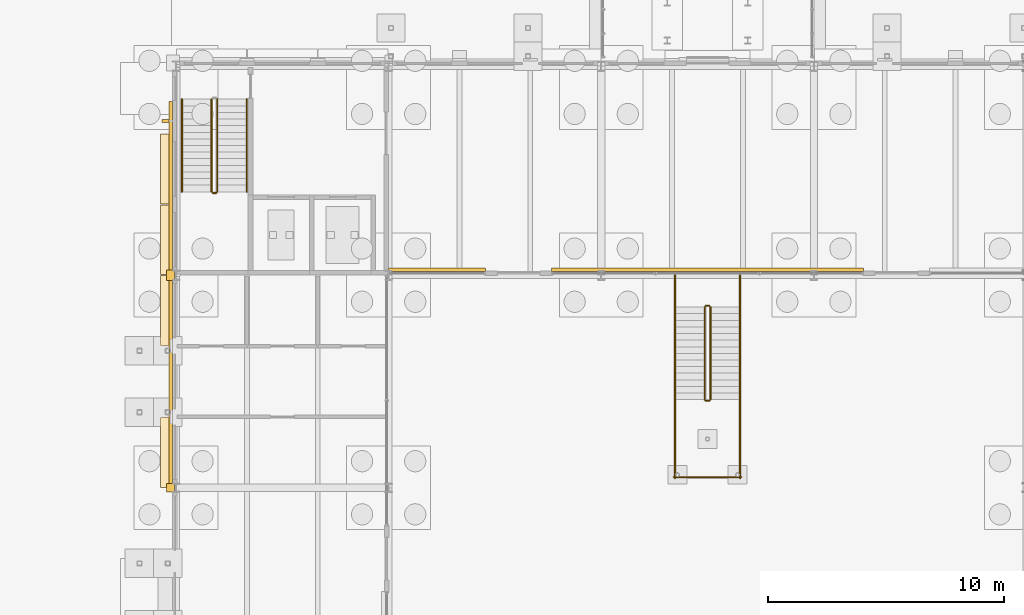
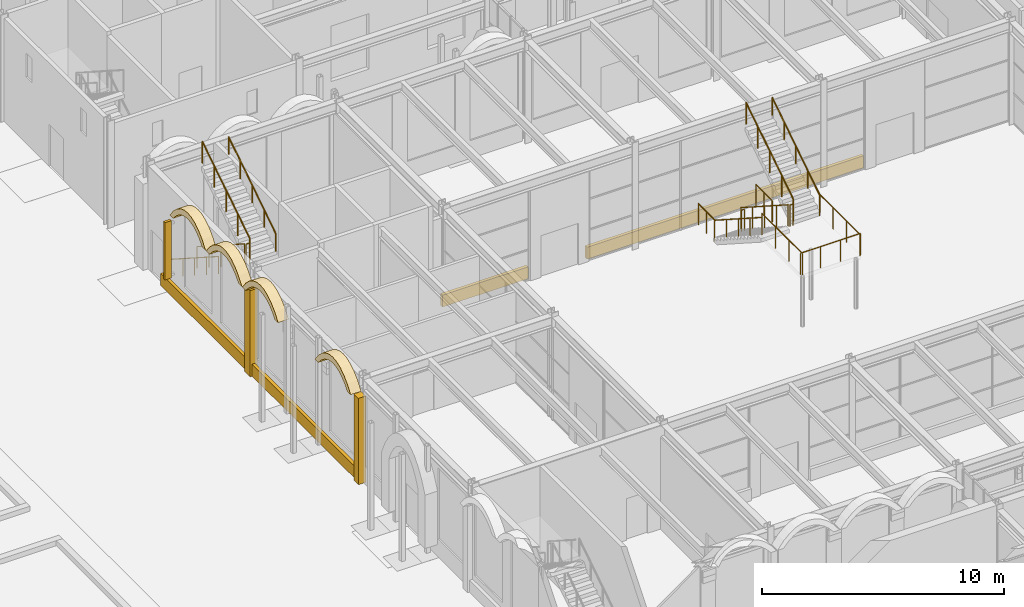
# One storey, part 111 of 126: 16 railings, 10 coverings, 1 shading device.
"""IFC4 building model written with IfcOpenShell, lengths in metres."""

from ifc_helpers import new_model, si_unit, direction, frame, origin, origin_2d, place, context, subcontext, project, spatial, polyline, rectangle, circle, outline, extrude, material, layer, layer_set, type_object, element, save


model = new_model("IFC4")

# Units and contexts
model_context = context("Model", 3, precision=1e-05, world=origin(), true_north=direction((0.0, 1.0)))
body_context = subcontext(model_context, "Body", "Model", "MODEL_VIEW")
ifc_project = project(units=[si_unit("LENGTHUNIT", "METRE"), si_unit("AREAUNIT", "SQUARE_METRE"), si_unit("VOLUMEUNIT", "CUBIC_METRE"), si_unit("PLANEANGLEUNIT", "RADIAN"), si_unit("MASSUNIT", "GRAM", prefix="KILO")], contexts=[model_context])

# Site, building, storey
site_placement = place(None, origin())
site = spatial("IfcSite", under=ifc_project, at=site_placement, CompositionType="ELEMENT")
building_placement = place(site_placement, origin())
building = spatial("IfcBuilding", under=site, at=building_placement, Name="Kallimachos Central Library", CompositionType="ELEMENT")
storey_placement = place(building_placement, origin())
storey = spatial("IfcBuildingStorey", under=building, at=storey_placement, Name="L00", CompositionType="ELEMENT", Elevation=0.0)

# Railings
ifc_material_1 = material(Name="Wrought iron")
railing_type_1 = type_object("IfcRailingType", Name="Stair guard", PredefinedType="GUARDRAIL", material=ifc_material_1)
railing_1_placement = place(storey_placement, frame((67.0, 82.449951171875, 0.179931640625)))
element("IfcRailing", 1, at=railing_1_placement, inside=storey, type_object=railing_type_1, Name="L00 ST9 stair guard 1", PredefinedType="GUARDRAIL", context=body_context, shape_type="SweptSolid", body=[
    extrude(circle(Radius=0.02392578125, at=origin_2d()), frame((0.0, 0.0, 1.076171875), z_axis=(0.0, -0.841171666519, 0.540768182723), x_axis=(1.0, 0.0, 0.0)), (0.0, 0.0, 1.0), 4.66015625),
    extrude(circle(Radius=0.02099609375, at=origin_2d()), origin(), (0.0, 0.0, 1.0), 1.052001953125),
    extrude(circle(Radius=0.02099609375, at=origin_2d()), frame((0.0, -0.97998046875, 0.6298828125)), (0.0, 0.0, 1.0), 1.052001953125),
    extrude(circle(Radius=0.02099609375, at=origin_2d()), frame((0.0, -1.9599609375, 1.260009765625)), (0.0, 0.0, 1.0), 1.052001953125),
    extrude(circle(Radius=0.02099609375, at=origin_2d()), frame((0.0, -2.93994140625, 1.89013671875)), (0.0, 0.0, 1.0), 1.052001953125),
    extrude(circle(Radius=0.02099609375, at=origin_2d()), frame((0.0, -3.919921875, 2.52001953125)), (0.0, 0.0, 1.0), 1.052001953125),
])
railing_2_placement = place(storey_placement, frame((67.050048828125, 78.47998046875, 2.699951171875)))
element("IfcRailing", 2, at=railing_2_placement, inside=storey, type_object=railing_type_1, Name="L00 ST9 stair guard 2", PredefinedType="GUARDRAIL", context=body_context, shape_type="SweptSolid", body=[
    extrude(circle(Radius=0.02392578125, at=origin_2d()), frame((0.0, 0.0, 1.076171875), z_axis=(1.0, 0.0, 0.0), x_axis=(0.0, 1.0, 0.0)), (0.0, 0.0, 1.0), 0.14990234375),
    extrude(circle(Radius=0.02099609375, at=origin_2d()), origin(), (0.0, 0.0, 1.0), 1.052001953125),
    extrude(circle(Radius=0.02099609375, at=origin_2d()), frame((0.14990234375, 0.0, 0.0)), (0.0, 0.0, 1.0), 1.052001953125),
])
railing_3_placement = place(storey_placement, frame((67.25, 78.530029296875, 2.8798828125)))
element("IfcRailing", 3, at=railing_3_placement, inside=storey, type_object=railing_type_1, Name="L00 ST9 stair guard 3", PredefinedType="GUARDRAIL", context=body_context, shape_type="SweptSolid", body=[
    extrude(circle(Radius=0.02392578125, at=origin_2d()), frame((0.0, 0.0, 1.076171875), z_axis=(0.0, 0.841171666519, 0.540768182723), x_axis=(-1.0, 0.0, 0.0)), (0.0, 0.0, 1.0), 4.66015625),
    extrude(circle(Radius=0.02099609375, at=origin_2d()), origin(), (0.0, 0.0, 1.0), 1.052001953125),
    extrude(circle(Radius=0.02099609375, at=origin_2d()), frame((0.0, 0.97998046875, 0.6298828125)), (0.0, 0.0, 1.0), 1.052001953125),
    extrude(circle(Radius=0.02099609375, at=origin_2d()), frame((0.0, 1.9599609375, 1.260009765625)), (0.0, 0.0, 1.0), 1.052001953125),
    extrude(circle(Radius=0.02099609375, at=origin_2d()), frame((0.0, 2.93994140625, 1.89013671875)), (0.0, 0.0, 1.0), 1.052001953125),
    extrude(circle(Radius=0.02099609375, at=origin_2d()), frame((0.0, 3.919921875, 2.52001953125)), (0.0, 0.0, 1.0), 1.052001953125),
])
railing_4_placement = place(storey_placement, frame((87.875, 73.64990234375, 0.179931640625)))
element("IfcRailing", 4, at=railing_4_placement, inside=storey, type_object=railing_type_1, Name="L00 SF1 stair guard 1", PredefinedType="GUARDRAIL", context=body_context, shape_type="SweptSolid", body=[
    extrude(circle(Radius=0.02392578125, at=origin_2d()), frame((0.0, 0.0, 1.076171875), z_axis=(0.0, -0.841171666519, 0.540768182723), x_axis=(1.0, 0.0, 0.0)), (0.0, 0.0, 1.0), 4.66015625),
    extrude(circle(Radius=0.02099609375, at=origin_2d()), origin(), (0.0, 0.0, 1.0), 1.052001953125),
    extrude(circle(Radius=0.02099609375, at=origin_2d()), frame((0.0, -0.97998046875, 0.6298828125)), (0.0, 0.0, 1.0), 1.052001953125),
    extrude(circle(Radius=0.02099609375, at=origin_2d()), frame((0.0, -1.9599609375, 1.260009765625)), (0.0, 0.0, 1.0), 1.052001953125),
    extrude(circle(Radius=0.02099609375, at=origin_2d()), frame((0.0, -2.93994140625, 1.89013671875)), (0.0, 0.0, 1.0), 1.052001953125),
    extrude(circle(Radius=0.02099609375, at=origin_2d()), frame((0.0, -3.919921875, 2.52001953125)), (0.0, 0.0, 1.0), 1.052001953125),
])
railing_5_placement = place(storey_placement, frame((87.925048828125, 69.679931640625, 2.699951171875)))
element("IfcRailing", 5, at=railing_5_placement, inside=storey, type_object=railing_type_1, Name="L00 SF1 stair guard 2", PredefinedType="GUARDRAIL", context=body_context, shape_type="SweptSolid", body=[
    extrude(circle(Radius=0.02392578125, at=origin_2d()), frame((0.0, 0.0, 1.076171875), z_axis=(1.0, 0.0, 0.0), x_axis=(0.0, 1.0, 0.0)), (0.0, 0.0, 1.0), 0.14990234375),
    extrude(circle(Radius=0.02099609375, at=origin_2d()), origin(), (0.0, 0.0, 1.0), 1.052001953125),
    extrude(circle(Radius=0.02099609375, at=origin_2d()), frame((0.14990234375, 0.0, 0.0)), (0.0, 0.0, 1.0), 1.052001953125),
])
for number, where, name in (
    (6, (86.625, 69.72998046875, 2.699951171875), "L00 SF1 stair guard 3"),
    (7, (89.375, 69.72998046875, 2.699951171875), "L00 SF1 stair guard 4"),
):
    element("IfcRailing", number, at=place(storey_placement, frame(where)), inside=storey, type_object=railing_type_1, Name=name, PredefinedType="GUARDRAIL", context=body_context, shape_type="SweptSolid", body=[
        extrude(circle(Radius=0.02392578125, at=origin_2d()), frame((0.0, 0.0, 1.076171875), z_axis=(0.0, -1.0, 0.0), x_axis=(1.0, 0.0, 0.0)), (0.0, 0.0, 1.0), 3.330078125),
        extrude(circle(Radius=0.02099609375, at=origin_2d()), origin(), (0.0, 0.0, 1.0), 1.052001953125),
        extrude(circle(Radius=0.02099609375, at=origin_2d()), frame((0.0, -1.110107421875, 0.0)), (0.0, 0.0, 1.0), 1.052001953125),
        extrude(circle(Radius=0.02099609375, at=origin_2d()), frame((0.0, -2.219970703125, 0.0)), (0.0, 0.0, 1.0), 1.052001953125),
        extrude(circle(Radius=0.02099609375, at=origin_2d()), frame((0.0, -3.330078125, 0.0)), (0.0, 0.0, 1.0), 1.052001953125),
    ])
railing_6_placement = place(storey_placement, frame((86.574951171875, 66.449951171875, 2.699951171875)))
element("IfcRailing", 8, at=railing_6_placement, inside=storey, type_object=railing_type_1, Name="L00 SF1 stair guard 5", PredefinedType="GUARDRAIL", context=body_context, shape_type="SweptSolid", body=[
    extrude(circle(Radius=0.02392578125, at=origin_2d()), frame((0.0, 0.0, 1.076171875), z_axis=(1.0, 0.0, 0.0), x_axis=(0.0, 1.0, 0.0)), (0.0, 0.0, 1.0), 2.85009765625),
    extrude(circle(Radius=0.02099609375, at=origin_2d()), origin(), (0.0, 0.0, 1.0), 1.052001953125),
    extrude(circle(Radius=0.02099609375, at=origin_2d()), frame((0.949951171875, 0.0, 0.0)), (0.0, 0.0, 1.0), 1.052001953125),
    extrude(circle(Radius=0.02099609375, at=origin_2d()), frame((1.900146484375, 0.0, 0.0)), (0.0, 0.0, 1.0), 1.052001953125),
    extrude(circle(Radius=0.02099609375, at=origin_2d()), frame((2.85009765625, 0.0, 0.0)), (0.0, 0.0, 1.0), 1.052001953125),
])
railing_7_placement = place(storey_placement, frame((88.125, 69.72998046875, 2.8798828125)))
element("IfcRailing", 9, at=railing_7_placement, inside=storey, type_object=railing_type_1, Name="L00 SF1 stair guard 6", PredefinedType="GUARDRAIL", context=body_context, shape_type="SweptSolid", body=[
    extrude(circle(Radius=0.02392578125, at=origin_2d()), frame((0.0, 0.0, 1.076171875), z_axis=(0.0, 0.841171666519, 0.540768182723), x_axis=(-1.0, 0.0, 0.0)), (0.0, 0.0, 1.0), 4.66015625),
    extrude(circle(Radius=0.02099609375, at=origin_2d()), origin(), (0.0, 0.0, 1.0), 1.052001953125),
    extrude(circle(Radius=0.02099609375, at=origin_2d()), frame((0.0, 0.97998046875, 0.6298828125)), (0.0, 0.0, 1.0), 1.052001953125),
    extrude(circle(Radius=0.02099609375, at=origin_2d()), frame((0.0, 1.9599609375, 1.260009765625)), (0.0, 0.0, 1.0), 1.052001953125),
    extrude(circle(Radius=0.02099609375, at=origin_2d()), frame((0.0, 2.93994140625, 1.89013671875)), (0.0, 0.0, 1.0), 1.052001953125),
    extrude(circle(Radius=0.02099609375, at=origin_2d()), frame((0.0, 3.919921875, 2.52001953125)), (0.0, 0.0, 1.0), 1.052001953125),
])
railing_8_placement = place(storey_placement, frame((87.925048828125, 73.699951171875, 0.0)))
element("IfcRailing", 10, at=railing_8_placement, inside=storey, type_object=railing_type_1, Name="L00 SF1 stair guard 7", PredefinedType="GUARDRAIL", context=body_context, shape_type="SweptSolid", body=[
    extrude(circle(Radius=0.02392578125, at=origin_2d()), frame((0.0, 0.0, 1.076171875), z_axis=(1.0, 0.0, 0.0), x_axis=(0.0, 1.0, 0.0)), (0.0, 0.0, 1.0), 0.14990234375),
    extrude(circle(Radius=0.02099609375, at=origin_2d()), origin(), (0.0, 0.0, 1.0), 1.052001953125),
    extrude(circle(Radius=0.02099609375, at=origin_2d()), frame((0.14990234375, 0.0, 0.0)), (0.0, 0.0, 1.0), 1.052001953125),
])
for number, where, name in (
    (11, (86.625, 75.0, 0.0), "L00 SF1 stair guard 8"),
    (12, (89.375, 75.0, 0.0), "L00 SF1 stair guard 9"),
):
    element("IfcRailing", number, at=place(storey_placement, frame(where)), inside=storey, type_object=railing_type_1, Name=name, PredefinedType="GUARDRAIL", context=body_context, shape_type="SweptSolid", body=[
        extrude(circle(Radius=0.02392578125, at=origin_2d()), frame((0.0, 0.0, 1.076171875), z_axis=(0.0, -1.0, 0.0), x_axis=(1.0, 0.0, 0.0)), (0.0, 0.0, 1.0), 1.35009765625),
        extrude(circle(Radius=0.02099609375, at=origin_2d()), origin(), (0.0, 0.0, 1.0), 1.052001953125),
        extrude(circle(Radius=0.02099609375, at=origin_2d()), frame((0.0, -0.675048828125, 0.0)), (0.0, 0.0, 1.0), 1.052001953125),
        extrude(circle(Radius=0.02099609375, at=origin_2d()), frame((0.0, -1.35009765625, 0.0)), (0.0, 0.0, 1.0), 1.052001953125),
    ])
ifc_material_2 = material(Name="Wrought iron")
railing_type_2 = type_object("IfcRailingType", Name="Stair handrail", PredefinedType="HANDRAIL", material=ifc_material_2)
railing_9_placement = place(storey_placement, frame((65.75, 82.449951171875, 0.179931640625)))
element("IfcRailing", 13, at=railing_9_placement, inside=storey, type_object=railing_type_2, Name="L00 ST9 stair handrail 1", PredefinedType="HANDRAIL", context=body_context, shape_type="SweptSolid", body=[
    extrude(circle(Radius=0.02392578125, at=origin_2d()), frame((0.0, 0.0, 0.8759765625), z_axis=(0.0, -0.841171666519, 0.540768182723), x_axis=(1.0, 0.0, 0.0)), (0.0, 0.0, 1.0), 4.66015625),
    extrude(circle(Radius=0.02099609375, at=origin_2d()), origin(), (0.0, 0.0, 1.0), 0.851806640625),
    extrude(circle(Radius=0.02099609375, at=origin_2d()), frame((0.0, -0.97998046875, 0.6298828125)), (0.0, 0.0, 1.0), 0.851806640625),
    extrude(circle(Radius=0.02099609375, at=origin_2d()), frame((0.0, -1.9599609375, 1.260009765625)), (0.0, 0.0, 1.0), 0.851806640625),
    extrude(circle(Radius=0.02099609375, at=origin_2d()), frame((0.0, -2.93994140625, 1.89013671875)), (0.0, 0.0, 1.0), 0.851806640625),
    extrude(circle(Radius=0.02099609375, at=origin_2d()), frame((0.0, -3.919921875, 2.52001953125)), (0.0, 0.0, 1.0), 0.851806640625),
])
railing_10_placement = place(storey_placement, frame((68.5, 78.530029296875, 2.8798828125)))
element("IfcRailing", 14, at=railing_10_placement, inside=storey, type_object=railing_type_2, Name="L00 ST9 stair handrail 2", PredefinedType="HANDRAIL", context=body_context, shape_type="SweptSolid", body=[
    extrude(circle(Radius=0.02392578125, at=origin_2d()), frame((0.0, 0.0, 0.8759765625), z_axis=(0.0, 0.841171666519, 0.540768182723), x_axis=(-1.0, 0.0, 0.0)), (0.0, 0.0, 1.0), 4.66015625),
    extrude(circle(Radius=0.02099609375, at=origin_2d()), origin(), (0.0, 0.0, 1.0), 0.851806640625),
    extrude(circle(Radius=0.02099609375, at=origin_2d()), frame((0.0, 0.97998046875, 0.6298828125)), (0.0, 0.0, 1.0), 0.851806640625),
    extrude(circle(Radius=0.02099609375, at=origin_2d()), frame((0.0, 1.9599609375, 1.260009765625)), (0.0, 0.0, 1.0), 0.851806640625),
    extrude(circle(Radius=0.02099609375, at=origin_2d()), frame((0.0, 2.93994140625, 1.89013671875)), (0.0, 0.0, 1.0), 0.851806640625),
    extrude(circle(Radius=0.02099609375, at=origin_2d()), frame((0.0, 3.919921875, 2.52001953125)), (0.0, 0.0, 1.0), 0.851806640625),
])
railing_11_placement = place(storey_placement, frame((86.625, 73.64990234375, 0.179931640625)))
element("IfcRailing", 15, at=railing_11_placement, inside=storey, type_object=railing_type_2, Name="L00 SF1 stair handrail 1", PredefinedType="HANDRAIL", context=body_context, shape_type="SweptSolid", body=[
    extrude(circle(Radius=0.02392578125, at=origin_2d()), frame((0.0, 0.0, 0.8759765625), z_axis=(0.0, -0.841171666519, 0.540768182723), x_axis=(1.0, 0.0, 0.0)), (0.0, 0.0, 1.0), 4.66015625),
    extrude(circle(Radius=0.02099609375, at=origin_2d()), origin(), (0.0, 0.0, 1.0), 0.851806640625),
    extrude(circle(Radius=0.02099609375, at=origin_2d()), frame((0.0, -0.97998046875, 0.6298828125)), (0.0, 0.0, 1.0), 0.851806640625),
    extrude(circle(Radius=0.02099609375, at=origin_2d()), frame((0.0, -1.9599609375, 1.260009765625)), (0.0, 0.0, 1.0), 0.851806640625),
    extrude(circle(Radius=0.02099609375, at=origin_2d()), frame((0.0, -2.93994140625, 1.89013671875)), (0.0, 0.0, 1.0), 0.851806640625),
    extrude(circle(Radius=0.02099609375, at=origin_2d()), frame((0.0, -3.919921875, 2.52001953125)), (0.0, 0.0, 1.0), 0.851806640625),
])
railing_12_placement = place(storey_placement, frame((89.375, 69.72998046875, 2.8798828125)))
element("IfcRailing", 16, at=railing_12_placement, inside=storey, type_object=railing_type_2, Name="L00 SF1 stair handrail 2", PredefinedType="HANDRAIL", context=body_context, shape_type="SweptSolid", body=[
    extrude(circle(Radius=0.02392578125, at=origin_2d()), frame((0.0, 0.0, 0.8759765625), z_axis=(0.0, 0.841171666519, 0.540768182723), x_axis=(-1.0, 0.0, 0.0)), (0.0, 0.0, 1.0), 4.66015625),
    extrude(circle(Radius=0.02099609375, at=origin_2d()), origin(), (0.0, 0.0, 1.0), 0.851806640625),
    extrude(circle(Radius=0.02099609375, at=origin_2d()), frame((0.0, 0.97998046875, 0.6298828125)), (0.0, 0.0, 1.0), 0.851806640625),
    extrude(circle(Radius=0.02099609375, at=origin_2d()), frame((0.0, 1.9599609375, 1.260009765625)), (0.0, 0.0, 1.0), 0.851806640625),
    extrude(circle(Radius=0.02099609375, at=origin_2d()), frame((0.0, 2.93994140625, 1.89013671875)), (0.0, 0.0, 1.0), 0.851806640625),
    extrude(circle(Radius=0.02099609375, at=origin_2d()), frame((0.0, 3.919921875, 2.52001953125)), (0.0, 0.0, 1.0), 0.851806640625),
])

# Coverings
ifc_material_3 = material(Name="Pentelic marble arch ring", Category="masonry")
ifc_layer_1 = layer(ifc_material_3, 0.5)
ifc_layer_set_1 = layer_set([ifc_layer_1], Name="Stone arcade arch 500")
covering_type_1 = type_object("IfcCoveringType", Name="Stone arcade arch 500", PredefinedType="MOLDING", material=ifc_layer_set_1)
for number, where, z_axis, x_axis, name in (
    (17, (64.845458984375, 66.02001953125, 4.5), (-1.0, 0.0, 0.0), (0.0, 0.607673405972, 0.794187025627), "Arcade arch 21"),
    (18, (64.845458984375, 72.02001953125, 4.5), (-1.0, 0.0, 0.0), (0.0, 0.607673405972, 0.794187025627), "Arcade arch 22"),
    (19, (64.846435546875, 75.02001953125, 4.5), (-1.0, 0.0, 0.0), (0.0, 0.607673405972, 0.794187025627), "Arcade arch 23"),
    (20, (64.846435546875, 78.02001953125, 4.5), (-1.0, 0.0, 0.0), (0.0, 0.607673405972, 0.794187025627), "Arcade arch 24"),
):
    element("IfcCovering", number, at=place(storey_placement, frame(where, z_axis=z_axis, x_axis=x_axis)), inside=storey, type_object=covering_type_1, Name=name, PredefinedType="MOLDING", context=body_context, shape_type="SweptSolid", body=[
        extrude(outline(polyline([(0.0, 0.0), (0.4869366251541405, 2.7755575615628914e-17), (0.8889024419966925, 0.06532295220883794), (1.218591587223228, 0.18564109972920229), (1.4854137622537693, 0.3543694142335939), (1.6935317978445363, 0.5677078804904176), (1.8450329849286935, 0.8243668141651777), (1.9381267481033357, 1.1260236862259767), (1.9680568255517241, 1.4757029386371963), (1.926006946914356, 1.8807651729935488), (1.7986895444351394, 2.3507625729251327), (1.7986895444351394, 2.3507625729251327), (1.6285231878311222, 2.1283669385515656), (1.6285231878311222, 2.1283669385515656), (1.6944190066577884, 1.775763128611894), (1.7042796569282552, 1.4660347127947693), (1.6646975114138403, 1.1941375270857737), (1.580713796351433, 0.9562142695915296), (1.4552369114930856, 0.7500395738350882), (1.289042430106012, 0.57502000875593), (1.0813547789229982, 0.4317490054145742), (0.8292655581919923, 0.32245193028797), (0.5277335416761045, 0.2509860852694953), (0.17016635660401722, 0.22239563437356707), (0.17016635660401722, 0.22239563437356707), (0.0, 0.0), (0.0, 0.0)])), origin(), (0.0, 0.0, -1.0), 0.5),
    ])
ifc_material_4 = material(Name="Pentelic marble pilaster", Category="masonry")
ifc_layer_2 = layer(ifc_material_4, 0.25)
ifc_layer_set_2 = layer_set([ifc_layer_2], Name="Stone pilaster 250")
covering_type_2 = type_object("IfcCoveringType", Name="Stone pilaster 250", PredefinedType="CLADDING", material=ifc_layer_set_2)
covering_1_placement = place(storey_placement, frame((65.2705078125, 66.0, 0.0), z_axis=(0.0, 0.0, 1.0), x_axis=(1.0, 0.0, 0.0)))
element("IfcCovering", 21, at=covering_1_placement, inside=storey, type_object=covering_type_2, Name="Stone pilaster 250 -L00-026", PredefinedType="CLADDING", context=body_context, shape_type="SweptSolid", body=[
    extrude(rectangle(XDim=0.35009765625, YDim=0.376953125, at=origin_2d()), origin(), (0.0, 0.0, 1.0), 4.35009765625),
])
covering_2_placement = place(storey_placement, frame((65.2705078125, 75.0, 0.0), z_axis=(0.0, 0.0, 1.0), x_axis=(1.0, 0.0, 0.0)))
element("IfcCovering", 22, at=covering_2_placement, inside=storey, type_object=covering_type_2, Name="Stone pilaster 250 -L00-027", PredefinedType="CLADDING", context=body_context, shape_type="SweptSolid", body=[
    extrude(rectangle(XDim=0.35009765625, YDim=0.431884765625, at=origin_2d()), origin(), (0.0, 0.0, 1.0), 4.35009765625),
])
ifc_material_5 = material(Name="Pentelic marble plinth course", Category="masonry")
ifc_layer_3 = layer(ifc_material_5, 0.14990234375)
ifc_layer_set_3 = layer_set([ifc_layer_3], Name="Stone plinth course 600")
covering_type_3 = type_object("IfcCoveringType", Name="Stone plinth course 600", PredefinedType="CLADDING", material=ifc_layer_set_3)
covering_3_placement = place(storey_placement, frame((65.2705078125, 70.486328125, 0.0), z_axis=(0.0, 0.0, 1.0), x_axis=(1.0, 0.0, 0.0)))
element("IfcCovering", 23, at=covering_3_placement, inside=storey, type_object=covering_type_3, Name="Stone plinth course 600 -L00-027", PredefinedType="CLADDING", context=body_context, shape_type="SweptSolid", body=[
    extrude(rectangle(XDim=0.14990234375, YDim=8.595458984375, at=origin_2d()), origin(), (0.0, 0.0, 1.0), 0.60009765625),
])
covering_4_placement = place(storey_placement, frame((65.271484375, 78.782958984375, 0.0), z_axis=(0.0, 0.0, 1.0), x_axis=(1.0, 0.0, 0.0)))
element("IfcCovering", 24, at=covering_4_placement, inside=storey, type_object=covering_type_3, Name="Stone plinth course 600 -L00-028", PredefinedType="CLADDING", context=body_context, shape_type="SweptSolid", body=[
    extrude(rectangle(XDim=0.14990234375, YDim=7.134033203125, at=origin_2d()), origin(), (0.0, 0.0, 1.0), 0.60009765625),
])
covering_5_placement = place(storey_placement, frame((76.550048828125, 75.235107421875, 0.0), z_axis=(0.0, 0.0, 1.0), x_axis=(1.0, 0.0, 0.0)))
element("IfcCovering", 25, at=covering_5_placement, inside=storey, type_object=covering_type_3, Name="Stone plinth course 600 cw", PredefinedType="CLADDING", context=body_context, shape_type="SweptSolid", body=[
    extrude(rectangle(XDim=4.10009765625, YDim=0.14990234375, at=origin_2d()), origin(), (0.0, 0.0, 1.0), 0.60009765625),
])
covering_6_placement = place(storey_placement, frame((88.0, 75.235107421875, 0.0), z_axis=(0.0, 0.0, 1.0), x_axis=(1.0, 0.0, 0.0)))
element("IfcCovering", 26, at=covering_6_placement, inside=storey, type_object=covering_type_3, Name="Stone plinth course 600 cw", PredefinedType="CLADDING", context=body_context, shape_type="SweptSolid", body=[
    extrude(rectangle(XDim=13.199951171875, YDim=0.14990234375, at=origin_2d()), origin(), (0.0, 0.0, 1.0), 0.60009765625),
])

# Shading device
ifc_material_6 = material(Name="Pentelic marble fin", Category="masonry")
ifc_layer_4 = layer(ifc_material_6, 0.1201171875)
ifc_layer_set_4 = layer_set([ifc_layer_4], Name="Stone sun-shade fin 120")
shading_device_type = type_object("IfcShadingDeviceType", Name="Stone sun-shade fin 120", PredefinedType="USERDEFINED", material=ifc_layer_set_4)
shading_device_placement = place(storey_placement, frame((65.04638671875, 81.52490234375, 0.900146484375), z_axis=(0.0, 0.0, 1.0), x_axis=(1.0, 0.0, 0.0)))
element("IfcShadingDevice", 27, at=shading_device_placement, inside=storey, type_object=shading_device_type, Name="Stone sun-shade fin 120 -L00-028", ObjectType="FIN", PredefinedType="USERDEFINED", context=body_context, shape_type="SweptSolid", body=[
    extrude(rectangle(XDim=0.300048828125, YDim=0.1201171875, at=origin_2d()), origin(), (0.0, 0.0, 1.0), 2.89990234375),
])

save(model, "model.ifc")
